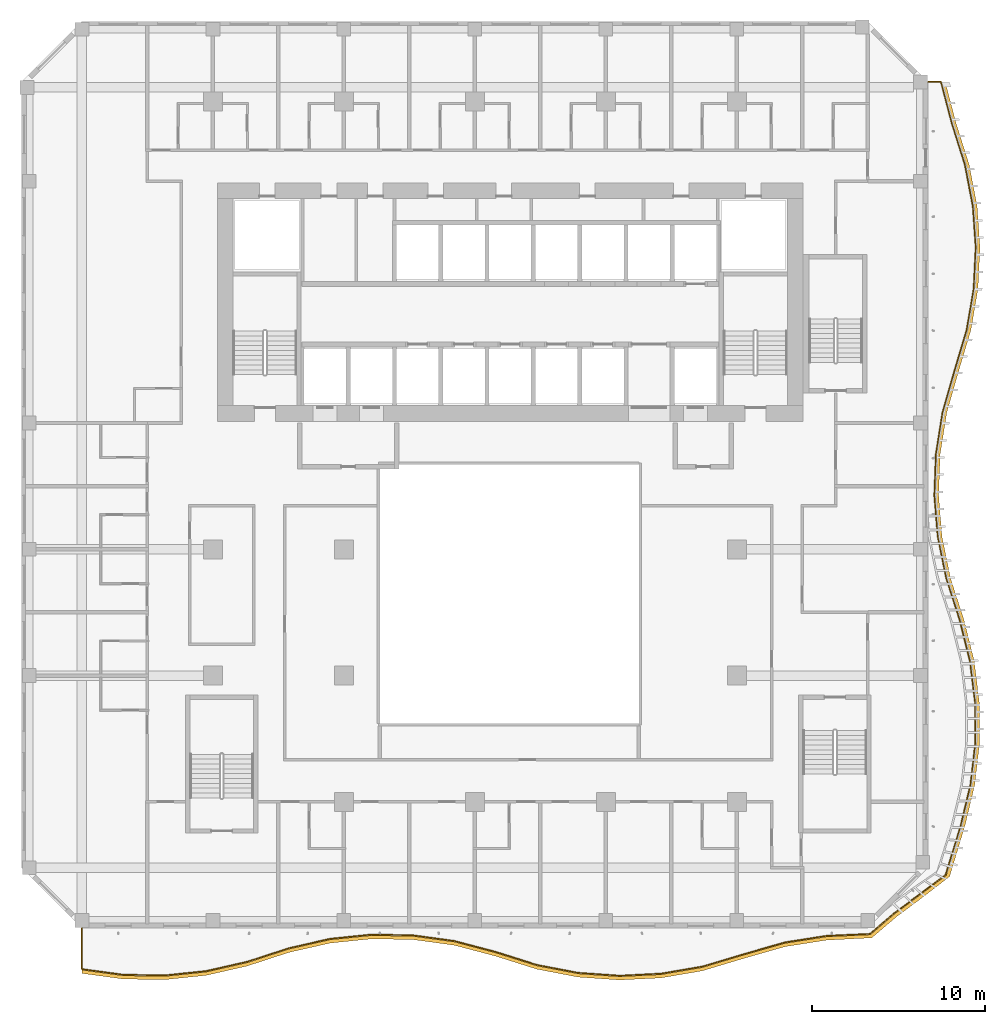
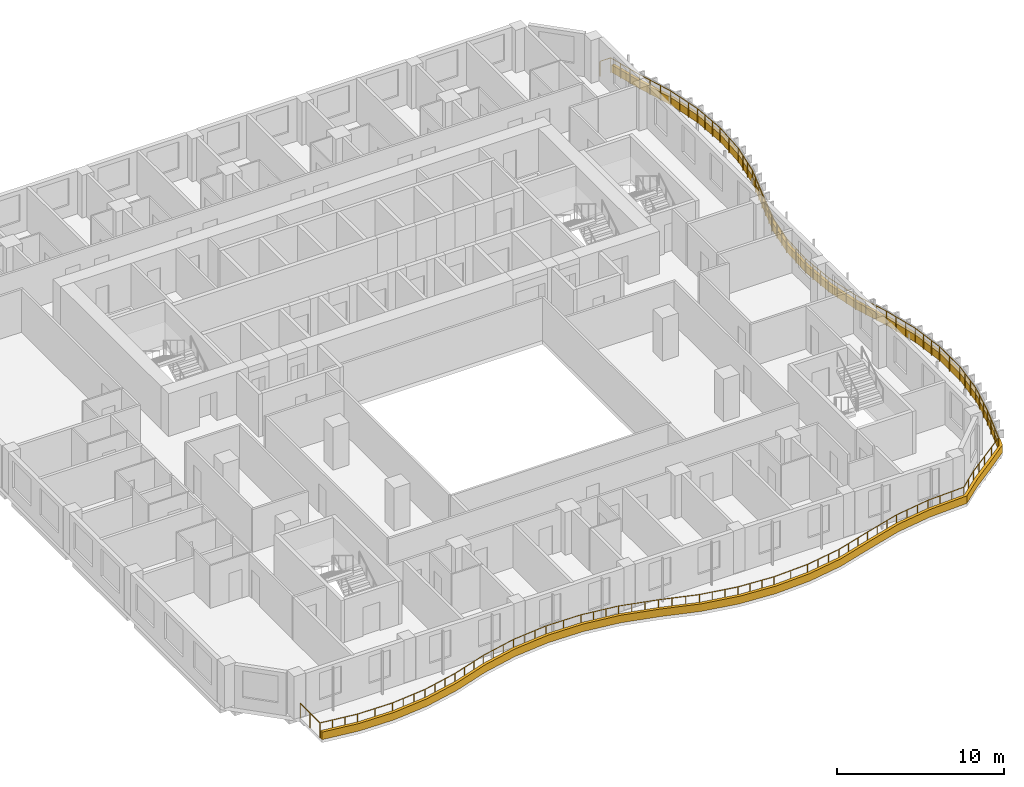
# One storey, part 16 of 22: 1 railing, 1 shading device.
"""IFC4 building model written with IfcOpenShell, lengths in metres."""

from ifc_helpers import new_model, si_unit, direction, frame, origin, origin_2d, place, context, subcontext, project, spatial, polyline, circle, outline, extrude, source, transform, mapped, material, layer, layer_set, type_object, element, save


model = new_model("IFC4")

# Units and contexts
model_context = context("Model", 3, precision=1e-05, world=origin(), true_north=direction((0.0, 1.0)))
body_context = subcontext(model_context, "Body", "Model", "MODEL_VIEW")
ifc_project = project(units=[si_unit("LENGTHUNIT", "METRE"), si_unit("AREAUNIT", "SQUARE_METRE"), si_unit("VOLUMEUNIT", "CUBIC_METRE"), si_unit("PLANEANGLEUNIT", "RADIAN"), si_unit("MASSUNIT", "GRAM", prefix="KILO")], contexts=[model_context])

# Site, building, storey
site_placement = place(None, origin())
site = spatial("IfcSite", under=ifc_project, at=site_placement, CompositionType="ELEMENT")
building_placement = place(site_placement, origin())
building = spatial("IfcBuilding", under=site, at=building_placement, Name="Kilnfold Tower and Market Hall", CompositionType="ELEMENT")
storey_placement = place(building_placement, frame((0.0, 0.0, 143.89990234375)))
storey = spatial("IfcBuildingStorey", under=building, at=storey_placement, Name="L32", CompositionType="ELEMENT", Elevation=143.89990234375)

# Railing
ifc_material_1 = material(Name="Stainless steel and laminated glass", Category="steel")
railing_type = type_object("IfcRailingType", Name="GUARD 1100", PredefinedType="GUARDRAIL", material=ifc_material_1)
railing_placement = place(storey_placement, frame((-23.75, -21.25, 0.0)))
element("IfcRailing", 1, at=railing_placement, inside=storey, type_object=railing_type, Name="Guard balcony L32", PredefinedType="GUARDRAIL", context=body_context, shape_type="SweptSolid", body=[
    extrude(circle(Radius=0.02490234375, at=origin_2d()), frame((0.0, 0.0, 1.0751953125), z_axis=(0.0, -1.0, 0.0), x_axis=(1.0, 0.0, 0.0)), (0.0, 0.0, 1.0), 2.3662109375),
    extrude(circle(Radius=0.02490234375, at=origin_2d()), frame((0.0, -2.3662109375, 1.0751953125), z_axis=(0.990851669737, -0.134955431825, 0.0), x_axis=(0.134955431825, 0.990851669737, 0.0)), (0.0, 0.0, 1.0), 2.4169921875),
    extrude(circle(Radius=0.02490234375, at=origin_2d()), frame((2.394775390625, -2.6923828125, 1.0751953125), z_axis=(0.999868650262, -0.016207474298, 0.0), x_axis=(0.016207474298, 0.999868650262, 0.0)), (0.0, 0.0, 1.0), 2.39501953125),
    extrude(circle(Radius=0.02490234375, at=origin_2d()), frame((4.78955078125, -2.731201171875, 1.0751953125), z_axis=(0.994687855772, 0.102937211828, 0.0), x_axis=(-0.102937211828, 0.994687855772, 0.0)), (0.0, 0.0, 1.0), 2.4072265625),
    extrude(circle(Radius=0.02490234375, at=origin_2d()), frame((7.18408203125, -2.4833984375, 1.0751953125), z_axis=(0.97511820574, 0.221685553961, 0.0), x_axis=(-0.221685553961, 0.97511820574, 0.0)), (0.0, 0.0, 1.0), 2.455810546875),
    extrude(circle(Radius=0.02490234375, at=origin_2d()), frame((9.578857421875, -1.93896484375, 1.0751953125), z_axis=(0.950660885118, 0.310231980147, 0.0), x_axis=(-0.310231980147, 0.950660885118, 0.0)), (0.0, 0.0, 1.0), 2.51904296875),
    extrude(circle(Radius=0.02490234375, at=origin_2d()), frame((11.9736328125, -1.157470703125, 1.0751953125), z_axis=(0.975246995053, 0.221118291059, 0.0), x_axis=(-0.221118291059, 0.975246995053, 0.0)), (0.0, 0.0, 1.0), 2.45556640625),
    extrude(circle(Radius=0.02490234375, at=origin_2d()), frame((14.368408203125, -0.614501953125, 1.0751953125), z_axis=(0.994761361098, 0.102224431847, 0.0), x_axis=(-0.102224431847, 0.994761361098, 0.0)), (0.0, 0.0, 1.0), 2.407470703125),
    extrude(circle(Radius=0.02490234375, at=origin_2d()), frame((16.76318359375, -0.368408203125, 1.0751953125), z_axis=(0.999860261141, -0.016717003041, 0.0), x_axis=(0.016717003041, 0.999860261141, 0.0)), (0.0, 0.0, 1.0), 2.39501953125),
    extrude(circle(Radius=0.02490234375, at=origin_2d()), frame((19.157958984375, -0.408447265625, 1.0751953125), z_axis=(0.990755022551, -0.135663131656, 0.0), x_axis=(0.135663131656, 0.990755022551, 0.0)), (0.0, 0.0, 1.0), 2.4169921875),
    extrude(circle(Radius=0.02490234375, at=origin_2d()), frame((21.552490234375, -0.736328125, 1.0751953125), z_axis=(0.967040051988, -0.254624307267, 0.0), x_axis=(0.254624307267, 0.967040051988, 0.0)), (0.0, 0.0, 1.0), 2.4765625),
    extrude(circle(Radius=0.02490234375, at=origin_2d()), frame((23.947509765625, -1.366943359375, 1.0751953125), z_axis=(0.953562091819, -0.301196509019, 0.0), x_axis=(0.301196509019, 0.953562091819, 0.0)), (0.0, 0.0, 1.0), 2.51123046875),
    extrude(circle(Radius=0.02490234375, at=origin_2d()), frame((26.342041015625, -2.123291015625, 1.0751953125), z_axis=(0.98210557725, -0.188331184709, 0.0), x_axis=(0.188331184709, 0.98210557725, 0.0)), (0.0, 0.0, 1.0), 2.4384765625),
    extrude(circle(Radius=0.02490234375, at=origin_2d()), frame((28.73681640625, -2.58251953125, 1.0751953125), z_axis=(0.997591657875, -0.06936053733, 0.0), x_axis=(0.06936053733, 0.997591657875, 0.0)), (0.0, 0.0, 1.0), 2.400634765625),
    extrude(circle(Radius=0.02490234375, at=origin_2d()), frame((31.131591796875, -2.7490234375, 1.0751953125), z_axis=(0.998769797863, 0.049587204767, 0.0), x_axis=(-0.049587204767, 0.998769797863, 0.0)), (0.0, 0.0, 1.0), 2.397705078125),
    extrude(circle(Radius=0.02490234375, at=origin_2d()), frame((33.5263671875, -2.630126953125, 1.0751953125), z_axis=(0.985698179357, 0.168520322845, 0.0), x_axis=(-0.168520322845, 0.985698179357, 0.0)), (0.0, 0.0, 1.0), 2.429443359375),
    extrude(circle(Radius=0.02490234375, at=origin_2d()), frame((35.921142578125, -2.220703125, 1.0751953125), z_axis=(0.957898824058, 0.287105978462, 0.0), x_axis=(-0.287105978462, 0.957898824058, 0.0)), (0.0, 0.0, 1.0), 2.5),
    extrude(circle(Radius=0.02490234375, at=origin_2d()), frame((38.31591796875, -1.5029296875, 1.0751953125), z_axis=(0.961608995727, 0.274423284976, 0.0), x_axis=(-0.274423284976, 0.961608995727, 0.0)), (0.0, 0.0, 1.0), 2.490234375),
    extrude(circle(Radius=0.02490234375, at=origin_2d()), frame((40.71044921875, -0.819580078125, 1.0751953125), z_axis=(0.987852622881, 0.155393678979, 0.0), x_axis=(-0.155393678979, 0.987852622881, 0.0)), (0.0, 0.0, 1.0), 2.42431640625),
    extrude(circle(Radius=0.02490234375, at=origin_2d()), frame((43.105224609375, -0.44287109375, 1.0751953125), z_axis=(0.998973699983, 0.045294003376, 0.0), x_axis=(-0.045294003376, 0.998973699983, 0.0)), (0.0, 0.0, 1.0), 2.533447265625),
    extrude(circle(Radius=0.02490234375, at=origin_2d()), frame((45.635986328125, -0.328125, 1.0751953125), z_axis=(0.757579649676, 0.652742732167, 0.0), x_axis=(-0.652742732167, 0.757579649676, 0.0)), (0.0, 0.0, 1.0), 1.790771484375),
    extrude(circle(Radius=0.02490234375, at=origin_2d()), frame((46.99267578125, 0.8408203125, 1.0751953125), z_axis=(0.802557595232, 0.596574644395, 0.0), x_axis=(-0.596574644395, 0.802557595232, 0.0)), (0.0, 0.0, 1.0), 1.667724609375),
    extrude(circle(Radius=0.02490234375, at=origin_2d()), frame((48.3310546875, 1.835693359375, 1.0751953125), z_axis=(0.802140782437, 0.597134963933, 0.0), x_axis=(-0.597134963933, 0.802140782437, 0.0)), (0.0, 0.0, 1.0), 2.0888671875),
    extrude(circle(Radius=0.02490234375, at=origin_2d()), frame((50.006591796875, 3.0830078125, 1.0751953125), z_axis=(0.29289551406, 0.956144454486, 0.0), x_axis=(-0.956144454486, 0.29289551406, 0.0)), (0.0, 0.0, 1.0), 2.940673828125),
    extrude(circle(Radius=0.02490234375, at=origin_2d()), frame((50.867919921875, 5.894775390625, 1.0751953125), z_axis=(0.233545410413, 0.972345895901, 0.0), x_axis=(-0.972345895901, 0.233545410413, 0.0)), (0.0, 0.0, 1.0), 2.462890625),
    extrude(circle(Radius=0.02490234375, at=origin_2d()), frame((51.443115234375, 8.28955078125, 1.0751953125), z_axis=(0.114654863149, 0.993405386716, 0.0), x_axis=(-0.993405386716, 0.114654863149, 0.0)), (0.0, 0.0, 1.0), 2.410400390625),
    extrude(circle(Radius=0.02490234375, at=origin_2d()), frame((51.719482421875, 10.68408203125, 1.0751953125), z_axis=(-0.004383687108, 0.999990391598, 0.0), x_axis=(-0.999990391598, -0.004383687108, 0.0)), (0.0, 0.0, 1.0), 2.394775390625),
    extrude(circle(Radius=0.02490234375, at=origin_2d()), frame((51.708984375, 13.078857421875, 1.0751953125), z_axis=(-0.123225331545, 0.992378716854, 0.0), x_axis=(-0.992378716854, -0.123225331545, 0.0)), (0.0, 0.0, 1.0), 2.4130859375),
    extrude(circle(Radius=0.02490234375, at=origin_2d()), frame((51.41162109375, 15.4736328125, 1.0751953125), z_axis=(-0.242139951351, 0.970241332844, 0.0), x_axis=(-0.970241332844, -0.242139951351, 0.0)), (0.0, 0.0, 1.0), 2.46826171875),
    extrude(circle(Radius=0.02490234375, at=origin_2d()), frame((50.81396484375, 17.868408203125, 1.0751953125), z_axis=(-0.306722092647, 0.951799116349, 0.0), x_axis=(-0.951799116349, -0.306722092647, 0.0)), (0.0, 0.0, 1.0), 2.51611328125),
    extrude(circle(Radius=0.02490234375, at=origin_2d()), frame((50.042236328125, 20.26318359375, 1.0751953125), z_axis=(-0.200742631259, 0.979644014934, 0.0), x_axis=(-0.979644014934, -0.200742631259, 0.0)), (0.0, 0.0, 1.0), 2.444580078125),
    extrude(circle(Radius=0.02490234375, at=origin_2d()), frame((49.551513671875, 22.657958984375, 1.0751953125), z_axis=(-0.08180079557, 0.996648699314, 0.0), x_axis=(-0.996648699314, -0.08180079557, 0.0)), (0.0, 0.0, 1.0), 2.402587890625),
    extrude(circle(Radius=0.02490234375, at=origin_2d()), frame((49.35498046875, 25.052490234375, 1.0751953125), z_axis=(0.037181204596, 0.999308539954, 0.0), x_axis=(-0.999308539954, 0.037181204596, 0.0)), (0.0, 0.0, 1.0), 2.396728515625),
    extrude(circle(Radius=0.02490234375, at=origin_2d()), frame((49.444091796875, 27.447509765625, 1.0751953125), z_axis=(0.156097030499, 0.987741725893, 0.0), x_axis=(-0.987741725893, 0.156097030499, 0.0)), (0.0, 0.0, 1.0), 2.42431640625),
    extrude(circle(Radius=0.02490234375, at=origin_2d()), frame((49.822509765625, 29.842041015625, 1.0751953125), z_axis=(0.275031804549, 0.96143512859, 0.0), x_axis=(-0.96143512859, 0.275031804549, 0.0)), (0.0, 0.0, 1.0), 2.49072265625),
    extrude(circle(Radius=0.02490234375, at=origin_2d()), frame((50.507568359375, 32.23681640625, 1.0751953125), z_axis=(0.28647855609, 0.958086654171, 0.0), x_axis=(-0.958086654171, 0.28647855609, 0.0)), (0.0, 0.0, 1.0), 2.49951171875),
    extrude(circle(Radius=0.02490234375, at=origin_2d()), frame((51.2236328125, 34.631591796875, 1.0751953125), z_axis=(0.167934421497, 0.985798169037, 0.0), x_axis=(-0.985798169037, 0.167934421497, 0.0)), (0.0, 0.0, 1.0), 2.42919921875),
    extrude(circle(Radius=0.02490234375, at=origin_2d()), frame((51.631591796875, 37.0263671875, 1.0751953125), z_axis=(0.048876167402, 0.998804845933, 0.0), x_axis=(-0.998804845933, 0.048876167402, 0.0)), (0.0, 0.0, 1.0), 2.397705078125),
    extrude(circle(Radius=0.02490234375, at=origin_2d()), frame((51.748779296875, 39.421142578125, 1.0751953125), z_axis=(-0.069967773022, 0.997549252287, 0.0), x_axis=(-0.997549252287, -0.069967773022, 0.0)), (0.0, 0.0, 1.0), 2.400634765625),
    extrude(circle(Radius=0.02490234375, at=origin_2d()), frame((51.580810546875, 41.81591796875, 1.0751953125), z_axis=(-0.188929089777, 0.981990732663, 0.0), x_axis=(-0.981990732663, -0.188929089777, 0.0)), (0.0, 0.0, 1.0), 2.4384765625),
    extrude(circle(Radius=0.02490234375, at=origin_2d()), frame((51.1201171875, 44.21044921875, 1.0751953125), z_axis=(-0.301522111337, 0.953459184431, 0.0), x_axis=(-0.953459184431, -0.301522111337, 0.0)), (0.0, 0.0, 1.0), 2.51171875),
    extrude(circle(Radius=0.02490234375, at=origin_2d()), frame((50.36279296875, 46.605224609375, 1.0751953125), z_axis=(-0.254003058175, 0.967203415233, 0.0), x_axis=(-0.967203415233, -0.254003058175, 0.0)), (0.0, 0.0, 1.0), 2.47607421875),
    extrude(circle(Radius=0.02490234375, at=origin_2d()), frame((49.73388671875, 49.0, 1.0751953125), z_axis=(-1.0, 0.0, 0.0), x_axis=(0.0, -1.0, 0.0)), (0.0, 0.0, 1.0), 0.73388671875),
    extrude(circle(Radius=0.02490234375, at=origin_2d()), origin(), (0.0, 0.0, 1.0), 1.050048828125),
    extrude(circle(Radius=0.02490234375, at=origin_2d()), frame((0.0, -1.18310546875, 0.0)), (0.0, 0.0, 1.0), 1.050048828125),
    extrude(circle(Radius=0.02490234375, at=origin_2d()), frame((0.0, -2.3662109375, 0.0)), (0.0, 0.0, 1.0), 1.050048828125),
    extrude(circle(Radius=0.02490234375, at=origin_2d()), frame((0.79833984375, -2.474853515625, 0.0)), (0.0, 0.0, 1.0), 1.050048828125),
    extrude(circle(Radius=0.02490234375, at=origin_2d()), frame((1.596435546875, -2.583740234375, 0.0)), (0.0, 0.0, 1.0), 1.050048828125),
    extrude(circle(Radius=0.02490234375, at=origin_2d()), frame((2.394775390625, -2.6923828125, 0.0)), (0.0, 0.0, 1.0), 1.050048828125),
    extrude(circle(Radius=0.02490234375, at=origin_2d()), frame((3.59228515625, -2.7119140625, 0.0)), (0.0, 0.0, 1.0), 1.050048828125),
    extrude(circle(Radius=0.02490234375, at=origin_2d()), frame((4.78955078125, -2.731201171875, 0.0)), (0.0, 0.0, 1.0), 1.050048828125),
    extrude(circle(Radius=0.02490234375, at=origin_2d()), frame((5.587646484375, -2.648681640625, 0.0)), (0.0, 0.0, 1.0), 1.050048828125),
    extrude(circle(Radius=0.02490234375, at=origin_2d()), frame((6.385986328125, -2.56591796875, 0.0)), (0.0, 0.0, 1.0), 1.050048828125),
    extrude(circle(Radius=0.02490234375, at=origin_2d()), frame((7.18408203125, -2.4833984375, 0.0)), (0.0, 0.0, 1.0), 1.050048828125),
    extrude(circle(Radius=0.02490234375, at=origin_2d()), frame((7.982421875, -2.302001953125, 0.0)), (0.0, 0.0, 1.0), 1.050048828125),
    extrude(circle(Radius=0.02490234375, at=origin_2d()), frame((8.780517578125, -2.120361328125, 0.0)), (0.0, 0.0, 1.0), 1.050048828125),
    extrude(circle(Radius=0.02490234375, at=origin_2d()), frame((9.578857421875, -1.93896484375, 0.0)), (0.0, 0.0, 1.0), 1.050048828125),
    extrude(circle(Radius=0.02490234375, at=origin_2d()), frame((10.377197265625, -1.678466796875, 0.0)), (0.0, 0.0, 1.0), 1.050048828125),
    extrude(circle(Radius=0.02490234375, at=origin_2d()), frame((11.17529296875, -1.41796875, 0.0)), (0.0, 0.0, 1.0), 1.050048828125),
    extrude(circle(Radius=0.02490234375, at=origin_2d()), frame((11.9736328125, -1.157470703125, 0.0)), (0.0, 0.0, 1.0), 1.050048828125),
    extrude(circle(Radius=0.02490234375, at=origin_2d()), frame((12.77197265625, -0.9765625, 0.0)), (0.0, 0.0, 1.0), 1.050048828125),
    extrude(circle(Radius=0.02490234375, at=origin_2d()), frame((13.570068359375, -0.79541015625, 0.0)), (0.0, 0.0, 1.0), 1.050048828125),
    extrude(circle(Radius=0.02490234375, at=origin_2d()), frame((14.368408203125, -0.614501953125, 0.0)), (0.0, 0.0, 1.0), 1.050048828125),
    extrude(circle(Radius=0.02490234375, at=origin_2d()), frame((15.166748046875, -0.532470703125, 0.0)), (0.0, 0.0, 1.0), 1.050048828125),
    extrude(circle(Radius=0.02490234375, at=origin_2d()), frame((15.96484375, -0.450439453125, 0.0)), (0.0, 0.0, 1.0), 1.050048828125),
    extrude(circle(Radius=0.02490234375, at=origin_2d()), frame((16.76318359375, -0.368408203125, 0.0)), (0.0, 0.0, 1.0), 1.050048828125),
    extrude(circle(Radius=0.02490234375, at=origin_2d()), frame((17.96044921875, -0.388427734375, 0.0)), (0.0, 0.0, 1.0), 1.050048828125),
    extrude(circle(Radius=0.02490234375, at=origin_2d()), frame((19.157958984375, -0.408447265625, 0.0)), (0.0, 0.0, 1.0), 1.050048828125),
    extrude(circle(Radius=0.02490234375, at=origin_2d()), frame((19.9560546875, -0.517822265625, 0.0)), (0.0, 0.0, 1.0), 1.050048828125),
    extrude(circle(Radius=0.02490234375, at=origin_2d()), frame((20.75439453125, -0.626953125, 0.0)), (0.0, 0.0, 1.0), 1.050048828125),
    extrude(circle(Radius=0.02490234375, at=origin_2d()), frame((21.552490234375, -0.736328125, 0.0)), (0.0, 0.0, 1.0), 1.050048828125),
    extrude(circle(Radius=0.02490234375, at=origin_2d()), frame((22.350830078125, -0.946533203125, 0.0)), (0.0, 0.0, 1.0), 1.050048828125),
    extrude(circle(Radius=0.02490234375, at=origin_2d()), frame((23.149169921875, -1.15673828125, 0.0)), (0.0, 0.0, 1.0), 1.050048828125),
    extrude(circle(Radius=0.02490234375, at=origin_2d()), frame((23.947509765625, -1.366943359375, 0.0)), (0.0, 0.0, 1.0), 1.050048828125),
    extrude(circle(Radius=0.02490234375, at=origin_2d()), frame((24.74560546875, -1.619140625, 0.0)), (0.0, 0.0, 1.0), 1.050048828125),
    extrude(circle(Radius=0.02490234375, at=origin_2d()), frame((25.5439453125, -1.87109375, 0.0)), (0.0, 0.0, 1.0), 1.050048828125),
    extrude(circle(Radius=0.02490234375, at=origin_2d()), frame((26.342041015625, -2.123291015625, 0.0)), (0.0, 0.0, 1.0), 1.050048828125),
    extrude(circle(Radius=0.02490234375, at=origin_2d()), frame((27.140380859375, -2.2763671875, 0.0)), (0.0, 0.0, 1.0), 1.050048828125),
    extrude(circle(Radius=0.02490234375, at=origin_2d()), frame((27.9384765625, -2.429443359375, 0.0)), (0.0, 0.0, 1.0), 1.050048828125),
    extrude(circle(Radius=0.02490234375, at=origin_2d()), frame((28.73681640625, -2.58251953125, 0.0)), (0.0, 0.0, 1.0), 1.050048828125),
    extrude(circle(Radius=0.02490234375, at=origin_2d()), frame((29.53515625, -2.637939453125, 0.0)), (0.0, 0.0, 1.0), 1.050048828125),
    extrude(circle(Radius=0.02490234375, at=origin_2d()), frame((30.333251953125, -2.693603515625, 0.0)), (0.0, 0.0, 1.0), 1.050048828125),
    extrude(circle(Radius=0.02490234375, at=origin_2d()), frame((31.131591796875, -2.7490234375, 0.0)), (0.0, 0.0, 1.0), 1.050048828125),
    extrude(circle(Radius=0.02490234375, at=origin_2d()), frame((32.3291015625, -2.689453125, 0.0)), (0.0, 0.0, 1.0), 1.050048828125),
    extrude(circle(Radius=0.02490234375, at=origin_2d()), frame((33.5263671875, -2.630126953125, 0.0)), (0.0, 0.0, 1.0), 1.050048828125),
    extrude(circle(Radius=0.02490234375, at=origin_2d()), frame((34.32470703125, -2.49365234375, 0.0)), (0.0, 0.0, 1.0), 1.050048828125),
    extrude(circle(Radius=0.02490234375, at=origin_2d()), frame((35.122802734375, -2.357177734375, 0.0)), (0.0, 0.0, 1.0), 1.050048828125),
    extrude(circle(Radius=0.02490234375, at=origin_2d()), frame((35.921142578125, -2.220703125, 0.0)), (0.0, 0.0, 1.0), 1.050048828125),
    extrude(circle(Radius=0.02490234375, at=origin_2d()), frame((36.719482421875, -1.9814453125, 0.0)), (0.0, 0.0, 1.0), 1.050048828125),
    extrude(circle(Radius=0.02490234375, at=origin_2d()), frame((37.517578125, -1.7421875, 0.0)), (0.0, 0.0, 1.0), 1.050048828125),
    extrude(circle(Radius=0.02490234375, at=origin_2d()), frame((38.31591796875, -1.5029296875, 0.0)), (0.0, 0.0, 1.0), 1.050048828125),
    extrude(circle(Radius=0.02490234375, at=origin_2d()), frame((39.114013671875, -1.275146484375, 0.0)), (0.0, 0.0, 1.0), 1.050048828125),
    extrude(circle(Radius=0.02490234375, at=origin_2d()), frame((39.912353515625, -1.04736328125, 0.0)), (0.0, 0.0, 1.0), 1.050048828125),
    extrude(circle(Radius=0.02490234375, at=origin_2d()), frame((40.71044921875, -0.819580078125, 0.0)), (0.0, 0.0, 1.0), 1.050048828125),
    extrude(circle(Radius=0.02490234375, at=origin_2d()), frame((41.5087890625, -0.694091796875, 0.0)), (0.0, 0.0, 1.0), 1.050048828125),
    extrude(circle(Radius=0.02490234375, at=origin_2d()), frame((42.306884765625, -0.568359375, 0.0)), (0.0, 0.0, 1.0), 1.050048828125),
    extrude(circle(Radius=0.02490234375, at=origin_2d()), frame((43.105224609375, -0.44287109375, 0.0)), (0.0, 0.0, 1.0), 1.050048828125),
    extrude(circle(Radius=0.02490234375, at=origin_2d()), frame((43.94873046875, -0.404541015625, 0.0)), (0.0, 0.0, 1.0), 1.050048828125),
    extrude(circle(Radius=0.02490234375, at=origin_2d()), frame((44.79248046875, -0.366455078125, 0.0)), (0.0, 0.0, 1.0), 1.050048828125),
    extrude(circle(Radius=0.02490234375, at=origin_2d()), frame((45.635986328125, -0.328125, 0.0)), (0.0, 0.0, 1.0), 1.050048828125),
    extrude(circle(Radius=0.02490234375, at=origin_2d()), frame((46.314453125, 0.25634765625, 0.0)), (0.0, 0.0, 1.0), 1.050048828125),
    extrude(circle(Radius=0.02490234375, at=origin_2d()), frame((46.99267578125, 0.8408203125, 0.0)), (0.0, 0.0, 1.0), 1.050048828125),
    extrude(circle(Radius=0.02490234375, at=origin_2d()), frame((47.661865234375, 1.33837890625, 0.0)), (0.0, 0.0, 1.0), 1.050048828125),
    extrude(circle(Radius=0.02490234375, at=origin_2d()), frame((48.3310546875, 1.835693359375, 0.0)), (0.0, 0.0, 1.0), 1.050048828125),
    extrude(circle(Radius=0.02490234375, at=origin_2d()), frame((49.1689453125, 2.45947265625, 0.0)), (0.0, 0.0, 1.0), 1.050048828125),
    extrude(circle(Radius=0.02490234375, at=origin_2d()), frame((50.006591796875, 3.0830078125, 0.0)), (0.0, 0.0, 1.0), 1.050048828125),
    extrude(circle(Radius=0.02490234375, at=origin_2d()), frame((50.293701171875, 4.020263671875, 0.0)), (0.0, 0.0, 1.0), 1.050048828125),
    extrude(circle(Radius=0.02490234375, at=origin_2d()), frame((50.580810546875, 4.95751953125, 0.0)), (0.0, 0.0, 1.0), 1.050048828125),
    extrude(circle(Radius=0.02490234375, at=origin_2d()), frame((50.867919921875, 5.894775390625, 0.0)), (0.0, 0.0, 1.0), 1.050048828125),
    extrude(circle(Radius=0.02490234375, at=origin_2d()), frame((51.0595703125, 6.693115234375, 0.0)), (0.0, 0.0, 1.0), 1.050048828125),
    extrude(circle(Radius=0.02490234375, at=origin_2d()), frame((51.25146484375, 7.4912109375, 0.0)), (0.0, 0.0, 1.0), 1.050048828125),
    extrude(circle(Radius=0.02490234375, at=origin_2d()), frame((51.443115234375, 8.28955078125, 0.0)), (0.0, 0.0, 1.0), 1.050048828125),
    extrude(circle(Radius=0.02490234375, at=origin_2d()), frame((51.53515625, 9.087646484375, 0.0)), (0.0, 0.0, 1.0), 1.050048828125),
    extrude(circle(Radius=0.02490234375, at=origin_2d()), frame((51.62744140625, 9.885986328125, 0.0)), (0.0, 0.0, 1.0), 1.050048828125),
    extrude(circle(Radius=0.02490234375, at=origin_2d()), frame((51.719482421875, 10.68408203125, 0.0)), (0.0, 0.0, 1.0), 1.050048828125),
    extrude(circle(Radius=0.02490234375, at=origin_2d()), frame((51.71435546875, 11.88134765625, 0.0)), (0.0, 0.0, 1.0), 1.050048828125),
    extrude(circle(Radius=0.02490234375, at=origin_2d()), frame((51.708984375, 13.078857421875, 0.0)), (0.0, 0.0, 1.0), 1.050048828125),
    extrude(circle(Radius=0.02490234375, at=origin_2d()), frame((51.60986328125, 13.877197265625, 0.0)), (0.0, 0.0, 1.0), 1.050048828125),
    extrude(circle(Radius=0.02490234375, at=origin_2d()), frame((51.5107421875, 14.67529296875, 0.0)), (0.0, 0.0, 1.0), 1.050048828125),
    extrude(circle(Radius=0.02490234375, at=origin_2d()), frame((51.41162109375, 15.4736328125, 0.0)), (0.0, 0.0, 1.0), 1.050048828125),
    extrude(circle(Radius=0.02490234375, at=origin_2d()), frame((51.21240234375, 16.27197265625, 0.0)), (0.0, 0.0, 1.0), 1.050048828125),
    extrude(circle(Radius=0.02490234375, at=origin_2d()), frame((51.01318359375, 17.070068359375, 0.0)), (0.0, 0.0, 1.0), 1.050048828125),
    extrude(circle(Radius=0.02490234375, at=origin_2d()), frame((50.81396484375, 17.868408203125, 0.0)), (0.0, 0.0, 1.0), 1.050048828125),
    extrude(circle(Radius=0.02490234375, at=origin_2d()), frame((50.556640625, 18.666748046875, 0.0)), (0.0, 0.0, 1.0), 1.050048828125),
    extrude(circle(Radius=0.02490234375, at=origin_2d()), frame((50.299560546875, 19.46484375, 0.0)), (0.0, 0.0, 1.0), 1.050048828125),
    extrude(circle(Radius=0.02490234375, at=origin_2d()), frame((50.042236328125, 20.26318359375, 0.0)), (0.0, 0.0, 1.0), 1.050048828125),
    extrude(circle(Radius=0.02490234375, at=origin_2d()), frame((49.878662109375, 21.0615234375, 0.0)), (0.0, 0.0, 1.0), 1.050048828125),
    extrude(circle(Radius=0.02490234375, at=origin_2d()), frame((49.715087890625, 21.859619140625, 0.0)), (0.0, 0.0, 1.0), 1.050048828125),
    extrude(circle(Radius=0.02490234375, at=origin_2d()), frame((49.551513671875, 22.657958984375, 0.0)), (0.0, 0.0, 1.0), 1.050048828125),
    extrude(circle(Radius=0.02490234375, at=origin_2d()), frame((49.486083984375, 23.4560546875, 0.0)), (0.0, 0.0, 1.0), 1.050048828125),
    extrude(circle(Radius=0.02490234375, at=origin_2d()), frame((49.42041015625, 24.25439453125, 0.0)), (0.0, 0.0, 1.0), 1.050048828125),
    extrude(circle(Radius=0.02490234375, at=origin_2d()), frame((49.35498046875, 25.052490234375, 0.0)), (0.0, 0.0, 1.0), 1.050048828125),
    extrude(circle(Radius=0.02490234375, at=origin_2d()), frame((49.3994140625, 26.25, 0.0)), (0.0, 0.0, 1.0), 1.050048828125),
    extrude(circle(Radius=0.02490234375, at=origin_2d()), frame((49.444091796875, 27.447509765625, 0.0)), (0.0, 0.0, 1.0), 1.050048828125),
    extrude(circle(Radius=0.02490234375, at=origin_2d()), frame((49.5703125, 28.24560546875, 0.0)), (0.0, 0.0, 1.0), 1.050048828125),
    extrude(circle(Radius=0.02490234375, at=origin_2d()), frame((49.6962890625, 29.0439453125, 0.0)), (0.0, 0.0, 1.0), 1.050048828125),
    extrude(circle(Radius=0.02490234375, at=origin_2d()), frame((49.822509765625, 29.842041015625, 0.0)), (0.0, 0.0, 1.0), 1.050048828125),
    extrude(circle(Radius=0.02490234375, at=origin_2d()), frame((50.05078125, 30.640380859375, 0.0)), (0.0, 0.0, 1.0), 1.050048828125),
    extrude(circle(Radius=0.02490234375, at=origin_2d()), frame((50.279296875, 31.4384765625, 0.0)), (0.0, 0.0, 1.0), 1.050048828125),
    extrude(circle(Radius=0.02490234375, at=origin_2d()), frame((50.507568359375, 32.23681640625, 0.0)), (0.0, 0.0, 1.0), 1.050048828125),
    extrude(circle(Radius=0.02490234375, at=origin_2d()), frame((50.746337890625, 33.03515625, 0.0)), (0.0, 0.0, 1.0), 1.050048828125),
    extrude(circle(Radius=0.02490234375, at=origin_2d()), frame((50.98486328125, 33.833251953125, 0.0)), (0.0, 0.0, 1.0), 1.050048828125),
    extrude(circle(Radius=0.02490234375, at=origin_2d()), frame((51.2236328125, 34.631591796875, 0.0)), (0.0, 0.0, 1.0), 1.050048828125),
    extrude(circle(Radius=0.02490234375, at=origin_2d()), frame((51.359619140625, 35.429931640625, 0.0)), (0.0, 0.0, 1.0), 1.050048828125),
    extrude(circle(Radius=0.02490234375, at=origin_2d()), frame((51.49560546875, 36.22802734375, 0.0)), (0.0, 0.0, 1.0), 1.050048828125),
    extrude(circle(Radius=0.02490234375, at=origin_2d()), frame((51.631591796875, 37.0263671875, 0.0)), (0.0, 0.0, 1.0), 1.050048828125),
    extrude(circle(Radius=0.02490234375, at=origin_2d()), frame((51.690185546875, 38.2236328125, 0.0)), (0.0, 0.0, 1.0), 1.050048828125),
    extrude(circle(Radius=0.02490234375, at=origin_2d()), frame((51.748779296875, 39.421142578125, 0.0)), (0.0, 0.0, 1.0), 1.050048828125),
    extrude(circle(Radius=0.02490234375, at=origin_2d()), frame((51.69287109375, 40.219482421875, 0.0)), (0.0, 0.0, 1.0), 1.050048828125),
    extrude(circle(Radius=0.02490234375, at=origin_2d()), frame((51.63671875, 41.017578125, 0.0)), (0.0, 0.0, 1.0), 1.050048828125),
    extrude(circle(Radius=0.02490234375, at=origin_2d()), frame((51.580810546875, 41.81591796875, 0.0)), (0.0, 0.0, 1.0), 1.050048828125),
    extrude(circle(Radius=0.02490234375, at=origin_2d()), frame((51.42724609375, 42.614013671875, 0.0)), (0.0, 0.0, 1.0), 1.050048828125),
    extrude(circle(Radius=0.02490234375, at=origin_2d()), frame((51.273681640625, 43.412353515625, 0.0)), (0.0, 0.0, 1.0), 1.050048828125),
    extrude(circle(Radius=0.02490234375, at=origin_2d()), frame((51.1201171875, 44.21044921875, 0.0)), (0.0, 0.0, 1.0), 1.050048828125),
    extrude(circle(Radius=0.02490234375, at=origin_2d()), frame((50.86767578125, 45.0087890625, 0.0)), (0.0, 0.0, 1.0), 1.050048828125),
    extrude(circle(Radius=0.02490234375, at=origin_2d()), frame((50.615234375, 45.806884765625, 0.0)), (0.0, 0.0, 1.0), 1.050048828125),
    extrude(circle(Radius=0.02490234375, at=origin_2d()), frame((50.36279296875, 46.605224609375, 0.0)), (0.0, 0.0, 1.0), 1.050048828125),
    extrude(circle(Radius=0.02490234375, at=origin_2d()), frame((50.153076171875, 47.403564453125, 0.0)), (0.0, 0.0, 1.0), 1.050048828125),
    extrude(circle(Radius=0.02490234375, at=origin_2d()), frame((49.943603515625, 48.20166015625, 0.0)), (0.0, 0.0, 1.0), 1.050048828125),
    extrude(circle(Radius=0.02490234375, at=origin_2d()), frame((49.73388671875, 49.0, 0.0)), (0.0, 0.0, 1.0), 1.050048828125),
    extrude(circle(Radius=0.02490234375, at=origin_2d()), frame((49.0, 49.0, 0.0)), (0.0, 0.0, 1.0), 1.050048828125),
])

# Shading device
ifc_material_2 = material(Name="Precast concrete C50/60", Category="concrete")
ifc_layer = layer(ifc_material_2, 0.550048828125)
ifc_layer_set = layer_set([ifc_layer], Name="Precast concrete C50/60")
shading_device_type = type_object("IfcShadingDeviceType", Name="BALCONY UPSTAND 550", PredefinedType="USERDEFINED", material=ifc_layer_set)
shared_shape = source(origin(), body_context, "Body", "SweptSolid", [
    extrude(outline(polyline([(-23.75, -23.8662109375), (-21.355224609375, -24.1923828125), (-18.96044921875, -24.231201171875), (-16.56591796875, -23.9833984375), (-14.171142578125, -23.43896484375), (-11.7763671875, -22.657470703125), (-9.381591796875, -22.114501953125), (-6.98681640625, -21.868408203125), (-4.592041015625, -21.908447265625), (-2.197509765625, -22.236328125), (0.197509765625, -22.866943359375), (2.592041015625, -23.623291015625), (4.98681640625, -24.08251953125), (7.381591796875, -24.2490234375), (9.7763671875, -24.130126953125), (12.171142578125, -23.720703125), (14.56591796875, -23.0029296875), (16.96044921875, -22.319580078125), (19.355224609375, -21.94287109375), (21.981689453125, -21.80908203125), (23.41943359375, -20.5859375), (24.7578125, -19.59130859375), (26.487548828125, -18.2626953125), (27.367919921875, -15.355224609375), (27.943115234375, -12.96044921875), (28.219482421875, -10.56591796875), (28.208984375, -8.171142578125), (27.91162109375, -5.7763671875), (27.31396484375, -3.381591796875), (26.542236328125, -0.98681640625), (26.051513671875, 1.407958984375), (25.85498046875, 3.802490234375), (25.944091796875, 6.197509765625), (26.322509765625, 8.592041015625), (27.007568359375, 10.98681640625), (27.7236328125, 13.381591796875), (28.131591796875, 15.7763671875), (28.248779296875, 18.171142578125), (28.080810546875, 20.56591796875), (27.6201171875, 22.96044921875), (26.86279296875, 25.355224609375), (26.23388671875, 27.75), (26.03369140625, 27.75), (26.66259765625, 25.355224609375), (27.420166015625, 22.96044921875), (27.880859375, 20.56591796875), (28.048828125, 18.171142578125), (27.931396484375, 15.7763671875), (27.523681640625, 13.381591796875), (26.8076171875, 10.98681640625), (26.122314453125, 8.592041015625), (25.743896484375, 6.197509765625), (25.655029296875, 3.802490234375), (25.8515625, 1.407958984375), (26.34228515625, -0.98681640625), (27.114013671875, -3.381591796875), (27.711669921875, -5.7763671875), (28.009033203125, -8.171142578125), (28.019287109375, -10.56591796875), (27.7431640625, -12.96044921875), (27.167724609375, -15.355224609375), (26.302734375, -18.18603515625), (24.616455078125, -19.44970703125), (23.278076171875, -20.444580078125), (21.905029296875, -21.62451171875), (19.355224609375, -21.742919921875), (16.96044921875, -22.11962890625), (14.56591796875, -22.802978515625), (12.171142578125, -23.520751953125), (9.7763671875, -23.93017578125), (7.381591796875, -24.049072265625), (4.98681640625, -23.882568359375), (2.592041015625, -23.42333984375), (0.197509765625, -22.6669921875), (-2.197509765625, -22.036376953125), (-4.592041015625, -21.70849609375), (-6.98681640625, -21.66845703125), (-9.381591796875, -21.914306640625), (-11.7763671875, -22.45751953125), (-14.171142578125, -23.239013671875), (-16.56591796875, -23.783447265625), (-18.96044921875, -24.031005859375), (-21.355224609375, -23.992431640625), (-23.75, -23.666259765625), (-23.75, -23.8662109375)])), origin(), (0.0, 0.0, 1.0), 0.550048828125),
])
shading_device_placement = place(storey_placement, origin())
element("IfcShadingDevice", 2, at=shading_device_placement, inside=storey, type_object=shading_device_type, Name="Balcony fascia L32", ObjectType="FASCIA", PredefinedType="USERDEFINED", context=body_context, shape_type="MappedRepresentation", body=[
    mapped(shared_shape, transform((0.0, 0.0, 0.0))),
])

save(model, "model.ifc")
